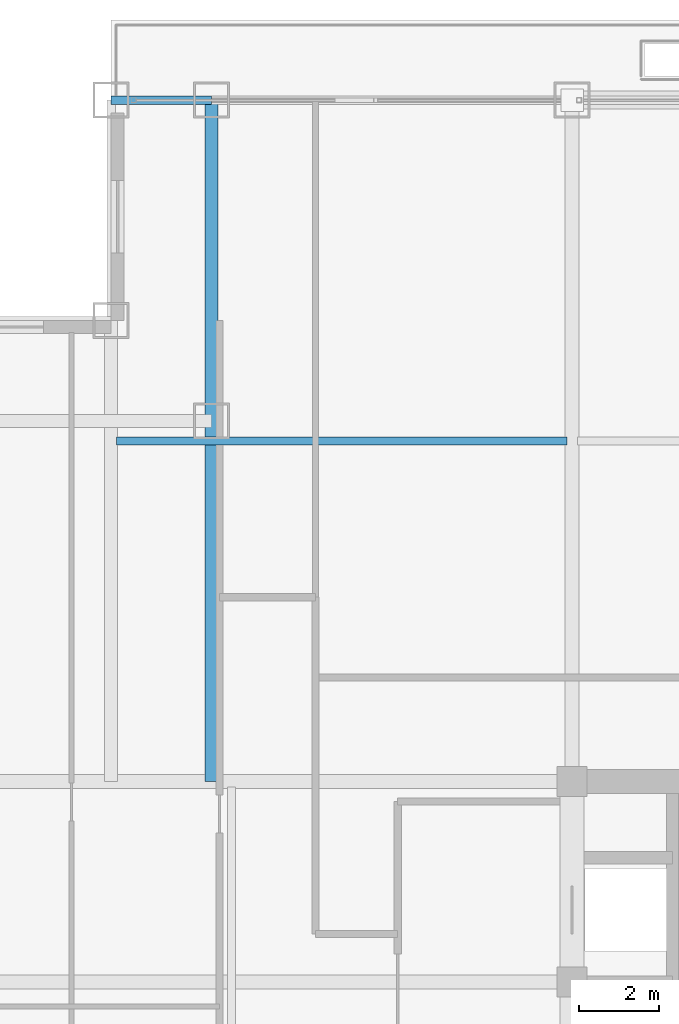
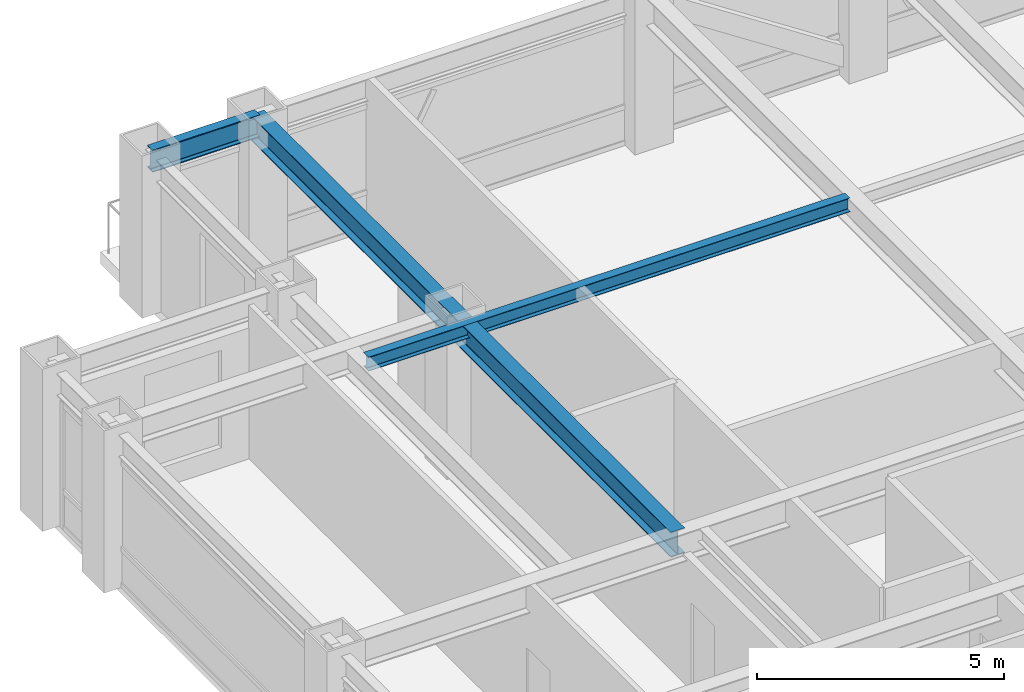
# One storey, part 16 of 32: 3 beams.
"""IFC4 building model written with IfcOpenShell, lengths in metres."""

from ifc_helpers import new_model, si_unit, direction, frame, origin, origin_2d, place, context, subcontext, project, spatial, i_section, extrude, source, transform, mapped, material, material_profile, profile_set, type_object, element, save


model = new_model("IFC4")

# Units and contexts
model_context = context("Model", 3, precision=1e-05, world=origin(), true_north=direction((0.0, 1.0)))
body_context = subcontext(model_context, "Body", "Model", "MODEL_VIEW")
ifc_project = project(units=[si_unit("LENGTHUNIT", "METRE"), si_unit("AREAUNIT", "SQUARE_METRE"), si_unit("VOLUMEUNIT", "CUBIC_METRE"), si_unit("PLANEANGLEUNIT", "RADIAN"), si_unit("MASSUNIT", "GRAM", prefix="KILO")], contexts=[model_context])

# Site, building, storey
site_placement = place(None, origin())
site = spatial("IfcSite", under=ifc_project, at=site_placement, CompositionType="ELEMENT")
building_placement = place(site_placement, origin())
building = spatial("IfcBuilding", under=site, at=building_placement, Name="Khorayat Bourse Tower", CompositionType="ELEMENT")
storey_placement = place(building_placement, frame((0.0, 0.0, 273.5)))
storey = spatial("IfcBuildingStorey", under=building, at=storey_placement, Name="L64", CompositionType="ELEMENT", Elevation=273.5)

# Beams
ifc_material = material(Name="Steel ASTM A992 Grade 50", Category="steel")
ifc_material_profile_1 = material_profile(ifc_material, i_section(OverallWidth=0.324951171875, OverallDepth=0.615966796875, WebThickness=0.013916015625, FlangeThickness=0.021484375, FilletRadius=0.01611328125, at=origin_2d()), Name="W610X174")
ifc_profile_set_1 = profile_set([ifc_material_profile_1], Name="Steel ASTM A992 Grade 50")
beam_type_1 = type_object("IfcBeamType", Name="BM-GIRD-610", PredefinedType="BEAM", material=ifc_profile_set_1)
shared_shape_1 = source(origin(), body_context, "Body", "SweptSolid", [
    extrude(i_section(OverallWidth=0.324951171875, OverallDepth=0.615966796875, WebThickness=0.013916015625, FlangeThickness=0.021484375, FilletRadius=0.01611328125, at=origin_2d()), origin(), (0.0, 0.0, 1.0), 17.0),
])
beam_1_placement = place(storey_placement, frame((-20.0, 11.0, 3.471923828125), z_axis=(0.0, 1.0, 0.0), x_axis=(-1.0, 0.0, 0.0)))
element("IfcBeam", 1, at=beam_1_placement, inside=storey, type_object=beam_type_1, Name="L64 BM-GIRD-610 BM-L64-CNRY-085", PredefinedType="BEAM", context=body_context, shape_type="MappedRepresentation", body=[
    mapped(shared_shape_1, transform((0.0, 0.0, 0.0), scale=1.0)),
])
ifc_material_profile_2 = material_profile(ifc_material, i_section(OverallWidth=0.202880859375, OverallDepth=0.346923828125, WebThickness=0.0078125, FlangeThickness=0.013427734375, FilletRadius=0.010009765625, at=origin_2d()), Name="W360X64")
ifc_profile_set_2 = profile_set([ifc_material_profile_2], Name="Steel ASTM A992 Grade 50")
beam_type_2 = type_object("IfcBeamType", Name="BM-JOIST-360", PredefinedType="JOIST", material=ifc_profile_set_2)
shared_shape_2 = source(origin(), body_context, "Body", "SweptSolid", [
    extrude(i_section(OverallWidth=0.202880859375, OverallDepth=0.346923828125, WebThickness=0.0078125, FlangeThickness=0.013427734375, FilletRadius=0.010009765625, at=origin_2d()), origin(), (0.0, 0.0, 1.0), 11.240234375),
])
beam_2_placement = place(storey_placement, frame((-22.3701171875, 19.5, 3.6064453125), z_axis=(1.0, 0.0, 0.0), x_axis=(0.0, 1.0, 0.0)))
element("IfcBeam", 2, at=beam_2_placement, inside=storey, type_object=beam_type_2, Name="L64 BM-JOIST-360 BM-L64-JSTX-099", PredefinedType="JOIST", context=body_context, shape_type="MappedRepresentation", body=[
    mapped(shared_shape_2, transform((0.0, 0.0, 0.0), scale=1.0)),
])
ifc_material_profile_3 = material_profile(ifc_material, i_section(OverallWidth=0.214111328125, OverallDepth=0.549072265625, WebThickness=0.0146484375, FlangeThickness=0.023681640625, FilletRadius=0.013916015625, at=origin_2d()), Name="W530X138")
ifc_profile_set_3 = profile_set([ifc_material_profile_3], Name="Steel ASTM A992 Grade 50")
beam_type_3 = type_object("IfcBeamType", Name="BM-SPAN-530", PredefinedType="SPANDREL", material=ifc_profile_set_3)
shared_shape_3 = source(origin(), body_context, "Body", "SweptSolid", [
    extrude(i_section(OverallWidth=0.214111328125, OverallDepth=0.549072265625, WebThickness=0.0146484375, FlangeThickness=0.023681640625, FilletRadius=0.013916015625, at=origin_2d()), origin(), (0.0, 0.0, 1.0), 2.5),
])
beam_3_placement = place(storey_placement, frame((-22.5, 28.0, 3.505615234375), z_axis=(1.0, 0.0, 0.0), x_axis=(0.0, 1.0, 0.0)))
element("IfcBeam", 3, at=beam_3_placement, inside=storey, type_object=beam_type_3, Name="L64 BM-SPAN-530 BM-L64-SPN-051", PredefinedType="SPANDREL", context=body_context, shape_type="MappedRepresentation", body=[
    mapped(shared_shape_3, transform((0.0, 0.0, 0.0), scale=1.0)),
])

save(model, "model.ifc")
